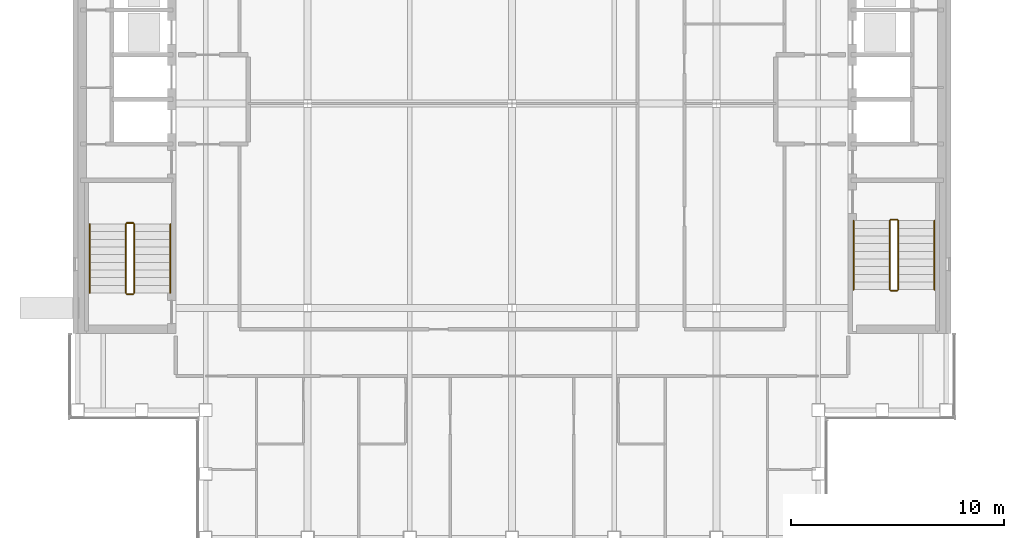
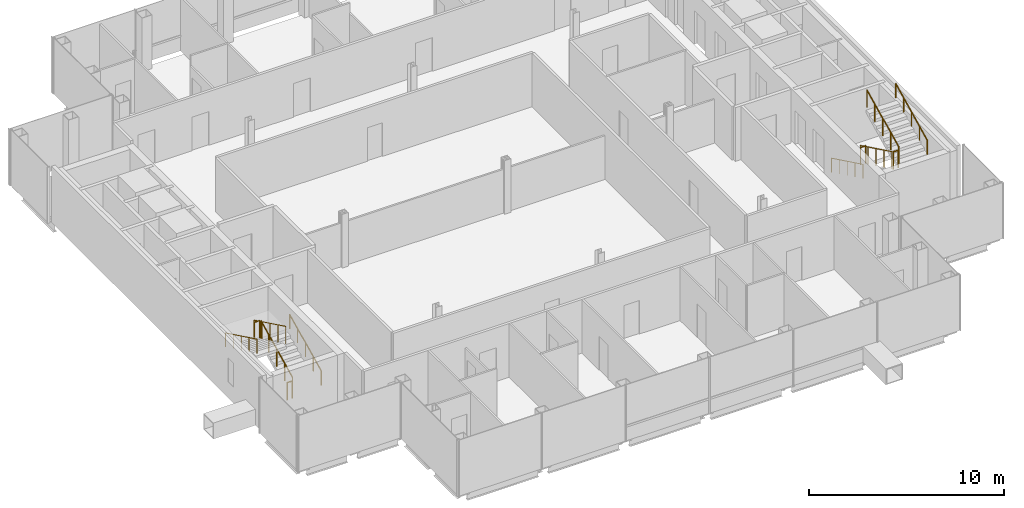
# One storey, part 14 of 15: 12 railings.
"""IFC4 building model written with IfcOpenShell, lengths in metres."""

from ifc_helpers import new_model, si_unit, direction, frame, origin, origin_2d, place, context, subcontext, project, spatial, circle, extrude, material, type_object, element, save


model = new_model("IFC4")

# Units and contexts
model_context = context("Model", 3, precision=1e-05, world=origin(), true_north=direction((0.0, 1.0)))
body_context = subcontext(model_context, "Body", "Model", "MODEL_VIEW")
ifc_project = project(units=[si_unit("LENGTHUNIT", "METRE"), si_unit("AREAUNIT", "SQUARE_METRE"), si_unit("VOLUMEUNIT", "CUBIC_METRE"), si_unit("PLANEANGLEUNIT", "RADIAN"), si_unit("MASSUNIT", "GRAM", prefix="KILO")], contexts=[model_context])

# Site, building, storey
site_placement = place(None, origin())
site = spatial("IfcSite", under=ifc_project, at=site_placement, CompositionType="ELEMENT")
building_placement = place(site_placement, origin())
building = spatial("IfcBuilding", under=site, at=building_placement, Name="Cobrizo Arcos Hotel Tower", CompositionType="ELEMENT")
storey_placement = place(building_placement, frame((0.0, 0.0, 258.5)))
storey = spatial("IfcBuildingStorey", under=building, at=storey_placement, Name="L68", CompositionType="ELEMENT", Elevation=258.5)

# Railings
ifc_material = material(Name="Stainless steel railing", Category="steel")
railing_type_1 = type_object("IfcRailingType", Name="Stair guard 1100", PredefinedType="GUARDRAIL", material=ifc_material)
railing_1_placement = place(storey_placement, frame((-17.75, -8.89990234375, 0.175048828125)))
element("IfcRailing", 1, at=railing_1_placement, inside=storey, type_object=railing_type_1, Name="L68 ST-W stair guard 1", PredefinedType="GUARDRAIL", context=body_context, shape_type="SweptSolid", body=[
    extrude(circle(Radius=0.02392578125, at=origin_2d()), frame((0.0, 0.0, 1.076171875), z_axis=(0.0, 0.899372665325, 0.437182809435), x_axis=(-1.0, 0.0, 0.0)), (0.0, 0.0, 1.0), 3.6025390625),
    extrude(circle(Radius=0.02099609375, at=origin_2d()), origin(), (0.0, 0.0, 1.0), 1.052001953125),
    extrude(circle(Radius=0.02099609375, at=origin_2d()), frame((0.0, 0.81005859375, 0.393798828125)), (0.0, 0.0, 1.0), 1.052001953125),
    extrude(circle(Radius=0.02099609375, at=origin_2d()), frame((0.0, 1.6201171875, 0.78759765625)), (0.0, 0.0, 1.0), 1.052001953125),
    extrude(circle(Radius=0.02099609375, at=origin_2d()), frame((0.0, 2.429931640625, 1.18115234375)), (0.0, 0.0, 1.0), 1.052001953125),
    extrude(circle(Radius=0.02099609375, at=origin_2d()), frame((0.0, 3.239990234375, 1.574951171875)), (0.0, 0.0, 1.0), 1.052001953125),
])
railing_2_placement = place(storey_placement, frame((-17.800048828125, -5.610107421875, 1.75)))
element("IfcRailing", 2, at=railing_2_placement, inside=storey, type_object=railing_type_1, Name="L68 ST-W stair guard 2", PredefinedType="GUARDRAIL", context=body_context, shape_type="SweptSolid", body=[
    extrude(circle(Radius=0.02392578125, at=origin_2d()), frame((0.0, 0.0, 1.076171875), z_axis=(-1.0, 0.0, 0.0), x_axis=(0.0, -1.0, 0.0)), (0.0, 0.0, 1.0), 0.300048828125),
    extrude(circle(Radius=0.02099609375, at=origin_2d()), origin(), (0.0, 0.0, 1.0), 1.052001953125),
    extrude(circle(Radius=0.02099609375, at=origin_2d()), frame((-0.300048828125, 0.0, 0.0)), (0.0, 0.0, 1.0), 1.052001953125),
])
railing_3_placement = place(storey_placement, frame((-18.14990234375, -5.659912109375, 1.925048828125)))
element("IfcRailing", 3, at=railing_3_placement, inside=storey, type_object=railing_type_1, Name="L68 ST-W stair guard 3", PredefinedType="GUARDRAIL", context=body_context, shape_type="SweptSolid", body=[
    extrude(circle(Radius=0.02392578125, at=origin_2d()), frame((0.0, 0.0, 1.076171875), z_axis=(0.0, -0.899372665325, 0.437182809435), x_axis=(1.0, 0.0, 0.0)), (0.0, 0.0, 1.0), 3.6025390625),
    extrude(circle(Radius=0.02099609375, at=origin_2d()), origin(), (0.0, 0.0, 1.0), 1.052001953125),
    extrude(circle(Radius=0.02099609375, at=origin_2d()), frame((0.0, -0.81005859375, 0.393798828125)), (0.0, 0.0, 1.0), 1.052001953125),
    extrude(circle(Radius=0.02099609375, at=origin_2d()), frame((0.0, -1.6201171875, 0.78759765625)), (0.0, 0.0, 1.0), 1.052001953125),
    extrude(circle(Radius=0.02099609375, at=origin_2d()), frame((0.0, -2.429931640625, 1.18115234375)), (0.0, 0.0, 1.0), 1.052001953125),
    extrude(circle(Radius=0.02099609375, at=origin_2d()), frame((0.0, -3.239990234375, 1.574951171875)), (0.0, 0.0, 1.0), 1.052001953125),
])
railing_4_placement = place(storey_placement, frame((-17.800048828125, -8.949951171875, 0.0)))
element("IfcRailing", 4, at=railing_4_placement, inside=storey, type_object=railing_type_1, Name="L68 ST-W stair guard 4", PredefinedType="GUARDRAIL", context=body_context, shape_type="SweptSolid", body=[
    extrude(circle(Radius=0.02392578125, at=origin_2d()), frame((0.0, 0.0, 1.076171875), z_axis=(-1.0, 0.0, 0.0), x_axis=(0.0, -1.0, 0.0)), (0.0, 0.0, 1.0), 0.300048828125),
    extrude(circle(Radius=0.02099609375, at=origin_2d()), origin(), (0.0, 0.0, 1.0), 1.052001953125),
    extrude(circle(Radius=0.02099609375, at=origin_2d()), frame((-0.300048828125, 0.0, 0.0)), (0.0, 0.0, 1.0), 1.052001953125),
])
railing_5_placement = place(storey_placement, frame((17.75, -5.5, 0.175048828125)))
element("IfcRailing", 5, at=railing_5_placement, inside=storey, type_object=railing_type_1, Name="L68 ST-E stair guard 1", PredefinedType="GUARDRAIL", context=body_context, shape_type="SweptSolid", body=[
    extrude(circle(Radius=0.02392578125, at=origin_2d()), frame((0.0, 0.0, 1.076171875), z_axis=(0.0, -0.899372665325, 0.437182809435), x_axis=(1.0, 0.0, 0.0)), (0.0, 0.0, 1.0), 3.6025390625),
    extrude(circle(Radius=0.02099609375, at=origin_2d()), origin(), (0.0, 0.0, 1.0), 1.052001953125),
    extrude(circle(Radius=0.02099609375, at=origin_2d()), frame((0.0, -0.81005859375, 0.393798828125)), (0.0, 0.0, 1.0), 1.052001953125),
    extrude(circle(Radius=0.02099609375, at=origin_2d()), frame((0.0, -1.6201171875, 0.78759765625)), (0.0, 0.0, 1.0), 1.052001953125),
    extrude(circle(Radius=0.02099609375, at=origin_2d()), frame((0.0, -2.429931640625, 1.18115234375)), (0.0, 0.0, 1.0), 1.052001953125),
    extrude(circle(Radius=0.02099609375, at=origin_2d()), frame((0.0, -3.239990234375, 1.574951171875)), (0.0, 0.0, 1.0), 1.052001953125),
])
railing_6_placement = place(storey_placement, frame((17.800048828125, -8.7900390625, 1.75)))
element("IfcRailing", 6, at=railing_6_placement, inside=storey, type_object=railing_type_1, Name="L68 ST-E stair guard 2", PredefinedType="GUARDRAIL", context=body_context, shape_type="SweptSolid", body=[
    extrude(circle(Radius=0.02392578125, at=origin_2d()), frame((0.0, 0.0, 1.076171875), z_axis=(1.0, 0.0, 0.0), x_axis=(0.0, 1.0, 0.0)), (0.0, 0.0, 1.0), 0.300048828125),
    extrude(circle(Radius=0.02099609375, at=origin_2d()), origin(), (0.0, 0.0, 1.0), 1.052001953125),
    extrude(circle(Radius=0.02099609375, at=origin_2d()), frame((0.300048828125, 0.0, 0.0)), (0.0, 0.0, 1.0), 1.052001953125),
])
railing_7_placement = place(storey_placement, frame((18.14990234375, -8.739990234375, 1.925048828125)))
element("IfcRailing", 7, at=railing_7_placement, inside=storey, type_object=railing_type_1, Name="L68 ST-E stair guard 3", PredefinedType="GUARDRAIL", context=body_context, shape_type="SweptSolid", body=[
    extrude(circle(Radius=0.02392578125, at=origin_2d()), frame((0.0, 0.0, 1.076171875), z_axis=(0.0, 0.899372665325, 0.437182809435), x_axis=(-1.0, 0.0, 0.0)), (0.0, 0.0, 1.0), 3.6025390625),
    extrude(circle(Radius=0.02099609375, at=origin_2d()), origin(), (0.0, 0.0, 1.0), 1.052001953125),
    extrude(circle(Radius=0.02099609375, at=origin_2d()), frame((0.0, 0.81005859375, 0.393798828125)), (0.0, 0.0, 1.0), 1.052001953125),
    extrude(circle(Radius=0.02099609375, at=origin_2d()), frame((0.0, 1.6201171875, 0.78759765625)), (0.0, 0.0, 1.0), 1.052001953125),
    extrude(circle(Radius=0.02099609375, at=origin_2d()), frame((0.0, 2.429931640625, 1.18115234375)), (0.0, 0.0, 1.0), 1.052001953125),
    extrude(circle(Radius=0.02099609375, at=origin_2d()), frame((0.0, 3.239990234375, 1.574951171875)), (0.0, 0.0, 1.0), 1.052001953125),
])
railing_8_placement = place(storey_placement, frame((17.800048828125, -5.449951171875, 0.0)))
element("IfcRailing", 8, at=railing_8_placement, inside=storey, type_object=railing_type_1, Name="L68 ST-E stair guard 4", PredefinedType="GUARDRAIL", context=body_context, shape_type="SweptSolid", body=[
    extrude(circle(Radius=0.02392578125, at=origin_2d()), frame((0.0, 0.0, 1.076171875), z_axis=(1.0, 0.0, 0.0), x_axis=(0.0, 1.0, 0.0)), (0.0, 0.0, 1.0), 0.300048828125),
    extrude(circle(Radius=0.02099609375, at=origin_2d()), origin(), (0.0, 0.0, 1.0), 1.052001953125),
    extrude(circle(Radius=0.02099609375, at=origin_2d()), frame((0.300048828125, 0.0, 0.0)), (0.0, 0.0, 1.0), 1.052001953125),
])
railing_type_2 = type_object("IfcRailingType", Name="Stair handrail", PredefinedType="HANDRAIL", material=ifc_material)
railing_9_placement = place(storey_placement, frame((-16.050048828125, -8.89990234375, 0.175048828125)))
element("IfcRailing", 9, at=railing_9_placement, inside=storey, type_object=railing_type_2, Name="L68 ST-W stair handrail 1", PredefinedType="HANDRAIL", context=body_context, shape_type="SweptSolid", body=[
    extrude(circle(Radius=0.02392578125, at=origin_2d()), frame((0.0, 0.0, 0.8759765625), z_axis=(0.0, 0.899372665325, 0.437182809435), x_axis=(-1.0, 0.0, 0.0)), (0.0, 0.0, 1.0), 3.6025390625),
    extrude(circle(Radius=0.02099609375, at=origin_2d()), origin(), (0.0, 0.0, 1.0), 0.851806640625),
    extrude(circle(Radius=0.02099609375, at=origin_2d()), frame((0.0, 0.81005859375, 0.393798828125)), (0.0, 0.0, 1.0), 0.851806640625),
    extrude(circle(Radius=0.02099609375, at=origin_2d()), frame((0.0, 1.6201171875, 0.78759765625)), (0.0, 0.0, 1.0), 0.851806640625),
    extrude(circle(Radius=0.02099609375, at=origin_2d()), frame((0.0, 2.429931640625, 1.18115234375)), (0.0, 0.0, 1.0), 0.851806640625),
    extrude(circle(Radius=0.02099609375, at=origin_2d()), frame((0.0, 3.239990234375, 1.574951171875)), (0.0, 0.0, 1.0), 0.851806640625),
])
for number, where, name in (
    (10, (-19.85009765625, -5.659912109375, 1.925048828125), "L68 ST-W stair handrail 2"),
    (11, (16.050048828125, -5.5, 0.175048828125), "L68 ST-E stair handrail 1"),
):
    element("IfcRailing", number, at=place(storey_placement, frame(where)), inside=storey, type_object=railing_type_2, Name=name, PredefinedType="HANDRAIL", context=body_context, shape_type="SweptSolid", body=[
        extrude(circle(Radius=0.02392578125, at=origin_2d()), frame((0.0, 0.0, 0.8759765625), z_axis=(0.0, -0.899372665325, 0.437182809435), x_axis=(1.0, 0.0, 0.0)), (0.0, 0.0, 1.0), 3.6025390625),
        extrude(circle(Radius=0.02099609375, at=origin_2d()), origin(), (0.0, 0.0, 1.0), 0.851806640625),
        extrude(circle(Radius=0.02099609375, at=origin_2d()), frame((0.0, -0.81005859375, 0.393798828125)), (0.0, 0.0, 1.0), 0.851806640625),
        extrude(circle(Radius=0.02099609375, at=origin_2d()), frame((0.0, -1.6201171875, 0.78759765625)), (0.0, 0.0, 1.0), 0.851806640625),
        extrude(circle(Radius=0.02099609375, at=origin_2d()), frame((0.0, -2.429931640625, 1.18115234375)), (0.0, 0.0, 1.0), 0.851806640625),
        extrude(circle(Radius=0.02099609375, at=origin_2d()), frame((0.0, -3.239990234375, 1.574951171875)), (0.0, 0.0, 1.0), 0.851806640625),
    ])
railing_10_placement = place(storey_placement, frame((19.85009765625, -8.739990234375, 1.925048828125)))
element("IfcRailing", 12, at=railing_10_placement, inside=storey, type_object=railing_type_2, Name="L68 ST-E stair handrail 2", PredefinedType="HANDRAIL", context=body_context, shape_type="SweptSolid", body=[
    extrude(circle(Radius=0.02392578125, at=origin_2d()), frame((0.0, 0.0, 0.8759765625), z_axis=(0.0, 0.899372665325, 0.437182809435), x_axis=(-1.0, 0.0, 0.0)), (0.0, 0.0, 1.0), 3.6025390625),
    extrude(circle(Radius=0.02099609375, at=origin_2d()), origin(), (0.0, 0.0, 1.0), 0.851806640625),
    extrude(circle(Radius=0.02099609375, at=origin_2d()), frame((0.0, 0.81005859375, 0.393798828125)), (0.0, 0.0, 1.0), 0.851806640625),
    extrude(circle(Radius=0.02099609375, at=origin_2d()), frame((0.0, 1.6201171875, 0.78759765625)), (0.0, 0.0, 1.0), 0.851806640625),
    extrude(circle(Radius=0.02099609375, at=origin_2d()), frame((0.0, 2.429931640625, 1.18115234375)), (0.0, 0.0, 1.0), 0.851806640625),
    extrude(circle(Radius=0.02099609375, at=origin_2d()), frame((0.0, 3.239990234375, 1.574951171875)), (0.0, 0.0, 1.0), 0.851806640625),
])

save(model, "model.ifc")
